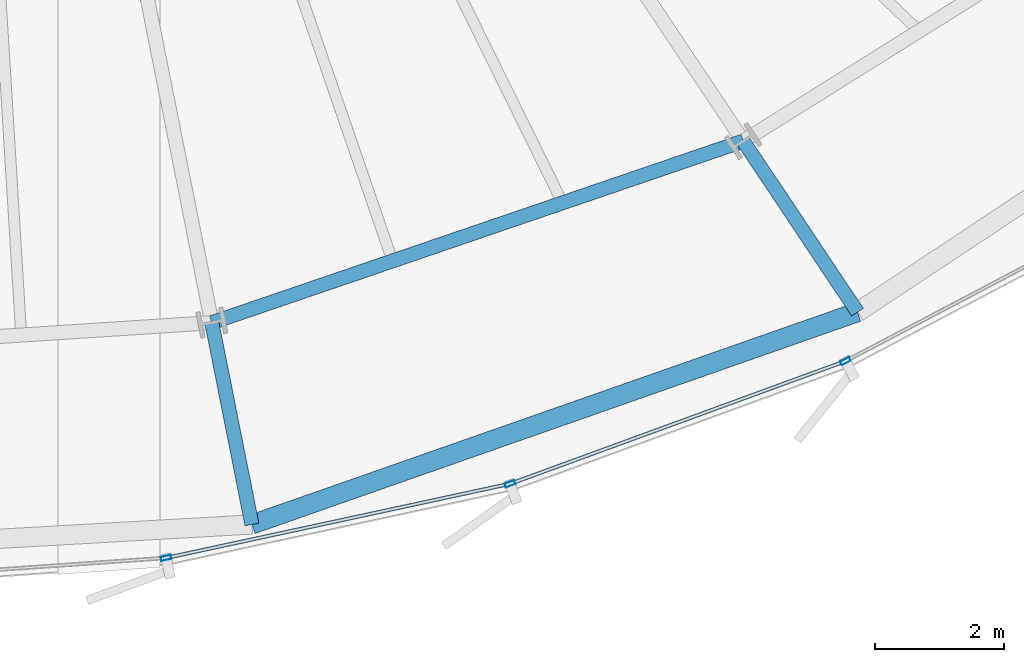
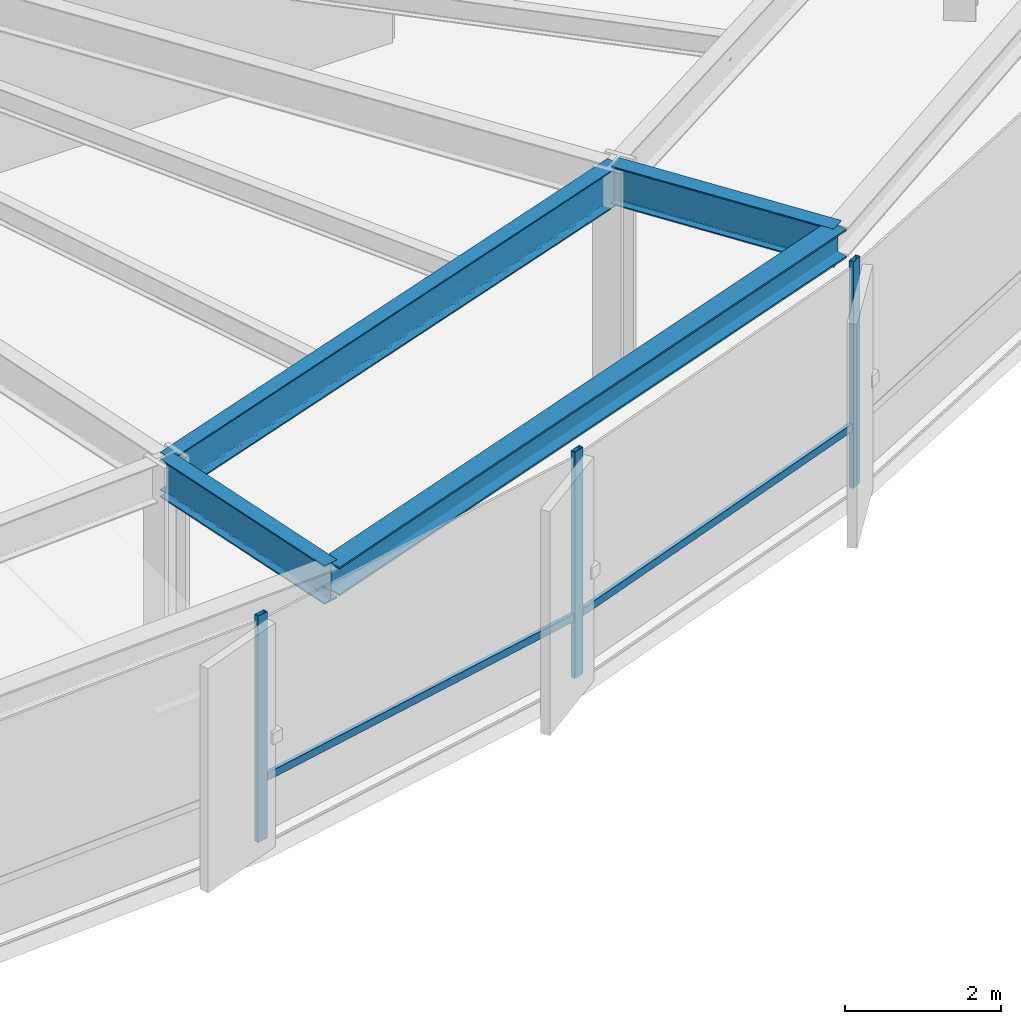
# One storey, part 11 of 38: 5 members, 4 beams, 1 element without a shape of its own.
"""IFC4 building model written with IfcOpenShell, lengths in metres."""

from ifc_helpers import new_model, si_unit, direction, frame, origin, origin_2d, place, context, subcontext, project, spatial, hollow_rectangle, i_section, extrude, source, transform, mapped, material, layer, layer_set, material_profile, profile_set, type_object, element, aggregate, save


model = new_model("IFC4")

# Units and contexts
model_context = context("Model", 3, precision=1e-05, world=origin(), true_north=direction((0.0, 1.0)))
body_context = subcontext(model_context, "Body", "Model", "MODEL_VIEW")
ifc_project = project(units=[si_unit("LENGTHUNIT", "METRE"), si_unit("AREAUNIT", "SQUARE_METRE"), si_unit("VOLUMEUNIT", "CUBIC_METRE"), si_unit("PLANEANGLEUNIT", "RADIAN"), si_unit("MASSUNIT", "GRAM", prefix="KILO"), si_unit("THERMODYNAMICTEMPERATUREUNIT", "KELVIN")], contexts=[model_context])

# Site, building, storey
site_placement = place(None, origin())
site = spatial("IfcSite", under=ifc_project, at=site_placement, CompositionType="ELEMENT")
building_placement = place(site_placement, origin())
building = spatial("IfcBuilding", under=site, at=building_placement, Name="Kethvar Cultural Tower", CompositionType="ELEMENT")
storey_placement = place(building_placement, frame((0.0, 0.0, 63.800048828125)))
storey = spatial("IfcBuildingStorey", under=building, at=storey_placement, Name="L15", CompositionType="ELEMENT", Elevation=63.800048828125)

# Beams
ifc_material_1 = material(Name="Steel S355J2", Category="steel")
ifc_material_profile_1 = material_profile(ifc_material_1, i_section(OverallWidth=0.219970703125, OverallDepth=0.60009765625, WebThickness=0.011962890625, FlangeThickness=0.01904296875, FilletRadius=0.02392578125, at=origin_2d()), Name="Steel S355J2 — IPE600")
ifc_profile_set_1 = profile_set([ifc_material_profile_1], Name="Steel S355J2 — IPE600")
beam_type_1 = type_object("IfcBeamType", Name="BM-IPE600", PredefinedType="BEAM", material=ifc_profile_set_1)
shared_shape_1 = source(origin(), body_context, "Body", "SweptSolid", [
    extrude(i_section(OverallWidth=0.219970703125, OverallDepth=0.60009765625, WebThickness=0.011962890625, FlangeThickness=0.01904296875, FilletRadius=0.02392578125, at=origin_2d()), origin(), (0.0, 0.0, 1.0), 3.199951171875),
])
for number, where, z_axis, x_axis, name in (
    (1, (51.10400390625, 6.16259765625, 3.248046875), (0.195088965533, -0.980785550224, 0.0), (0.980785550224, 0.195088965533, 0.0), "L15 Perimeter Cantilever Beam RC-13"),
    (2, (59.370361328125, 8.987060546875, 3.248046875), (0.555580212716, -0.831462943996, 0.0), (0.831462943996, 0.555580212716, 0.0), "L15 Perimeter Cantilever Beam RC-14"),
):
    element("IfcBeam", number, at=place(storey_placement, frame(where, z_axis=z_axis, x_axis=x_axis)), inside=storey, type_object=beam_type_1, Name=name, PredefinedType="BEAM", context=body_context, shape_type="MappedRepresentation", body=[
        mapped(shared_shape_1, transform((0.0, 0.0, 0.0), scale=1.0)),
    ])
shared_shape_2 = source(origin(), body_context, "Body", "SweptSolid", [
    extrude(i_section(OverallWidth=0.219970703125, OverallDepth=0.60009765625, WebThickness=0.011962890625, FlangeThickness=0.01904296875, FilletRadius=0.02392578125, at=origin_2d()), origin(), (0.0, 0.0, 1.0), 8.735595703125),
])
beam_1_placement = place(storey_placement, frame((51.10400390625, 6.16259765625, 3.248046875), z_axis=(0.946286676119, 0.323328821171, 0.0), x_axis=(-0.323328821171, 0.946286676119, 0.0)))
element("IfcBeam", 3, at=beam_1_placement, inside=storey, type_object=beam_type_1, Name="L15 Column Ring Tie Beam CR-13", PredefinedType="BEAM", context=body_context, shape_type="MappedRepresentation", body=[
    mapped(shared_shape_2, transform((0.0, 0.0, 0.0), scale=1.0)),
])
ifc_material_profile_2 = material_profile(ifc_material_1, i_section(OverallWidth=0.300048828125, OverallDepth=0.449951171875, WebThickness=0.013916015625, FlangeThickness=0.02587890625, FilletRadius=0.027099609375, at=origin_2d()), Name="Steel S355J2 — HEB450")
ifc_profile_set_2 = profile_set([ifc_material_profile_2], Name="Steel S355J2 — HEB450")
beam_type_2 = type_object("IfcBeamType", Name="BM-SP450", PredefinedType="SPANDREL", material=ifc_profile_set_2)
shared_shape_3 = source(origin(), body_context, "Body", "SweptSolid", [
    extrude(i_section(OverallWidth=0.300048828125, OverallDepth=0.449951171875, WebThickness=0.013916015625, FlangeThickness=0.02587890625, FilletRadius=0.027099609375, at=origin_2d()), origin(), (0.0, 0.0, 1.0), 9.98193359375),
])
beam_2_placement = place(storey_placement, frame((51.728271484375, 3.024169921875, 3.322998046875), z_axis=(0.943693514159, 0.330821026138, 0.0), x_axis=(-0.330821026138, 0.943693514159, 0.0)))
element("IfcBeam", 4, at=beam_2_placement, inside=storey, type_object=beam_type_2, Name="L15 Perimeter Spandrel Beam SP-13", PredefinedType="SPANDREL", context=body_context, shape_type="MappedRepresentation", body=[
    mapped(shared_shape_3, transform((0.0, 0.0, 0.0), scale=1.0)),
])

# Curtain wall, members
ifc_material_2 = material(Name="Aluminium 6063-T6", Category="aluminium")
ifc_layer = layer(ifc_material_2, 0.179931640625, Name="Aluminium 6063-T6", Category="aluminium")
ifc_layer_set = layer_set([ifc_layer], Name="Aluminium 6063-T6 (180 mm)")
curtain_wall_type = type_object("IfcCurtainWallType", Name="CW-SYS-02-Z1", PredefinedType="NOTDEFINED", material=ifc_layer_set)
curtain_wall_placement = place(storey_placement, origin())
curtain_wall = element("IfcCurtainWall", 5, at=curtain_wall_placement, inside=storey, type_object=curtain_wall_type, Name="L15 Curtain Wall Run 05", PredefinedType="NOTDEFINED")
ifc_material_profile_3 = material_profile(ifc_material_2, hollow_rectangle(XDim=0.06494140625, YDim=0.159912109375, WallThickness=0.0048828125, at=origin_2d()), Name="Aluminium 6063-T6 — RHS160x65x5")
ifc_profile_set_3 = profile_set([ifc_material_profile_3], Name="Aluminium 6063-T6 — RHS160x65x5")
member_type_1 = type_object("IfcMemberType", Name="CW-SYS-02-Z1-MUL", PredefinedType="MULLION", material=ifc_profile_set_3)
shared_shape_4 = source(origin(), body_context, "Body", "SweptSolid", [
    extrude(hollow_rectangle(XDim=0.06494140625, YDim=0.159912109375, WallThickness=0.0048828125, at=origin_2d()), origin(), (0.0, 0.0, 1.0), 3.550048828125),
])
member_1_placement = place(storey_placement, frame((50.391845703125, 2.50244140625, 0.0), z_axis=(0.0, 0.0, 1.0), x_axis=(-0.210847115726, 0.977519050346, 0.0)))
member_1 = element("IfcMember", 6, at=member_1_placement, type_object=member_type_1, Name="CW-L15-R05 Mullion 4", PredefinedType="MULLION", context=body_context, shape_type="MappedRepresentation", body=[
    mapped(shared_shape_4, transform((0.0, 0.0, 0.0), scale=1.0)),
])
member_2_placement = place(storey_placement, frame((55.74365234375, 3.655517578125, 0.0), z_axis=(0.0, 0.0, 1.0), x_axis=(-0.34367608482, 0.939088253959, 0.0)))
member_2 = element("IfcMember", 7, at=member_2_placement, type_object=member_type_1, Name="CW-L15-R05 Mullion 5", PredefinedType="MULLION", context=body_context, shape_type="MappedRepresentation", body=[
    mapped(shared_shape_4, transform((0.0, 0.0, 0.0), scale=1.0)),
])
member_3_placement = place(storey_placement, frame((60.959716796875, 5.5634765625, 0.0), z_axis=(0.0, 0.0, 1.0), x_axis=(-0.466016067022, 0.884776257184, 0.0)))
member_3 = element("IfcMember", 8, at=member_3_placement, type_object=member_type_1, Name="CW-L15-R05 Mullion 6", PredefinedType="MULLION", context=body_context, shape_type="MappedRepresentation", body=[
    mapped(shared_shape_4, transform((0.0, 0.0, 0.0), scale=1.0)),
])
ifc_material_profile_4 = material_profile(ifc_material_2, hollow_rectangle(XDim=0.054931640625, YDim=0.1201171875, WallThickness=0.00390625, at=origin_2d()), Name="Aluminium 6063-T6 — RHS120x55x4")
ifc_profile_set_4 = profile_set([ifc_material_profile_4], Name="Aluminium 6063-T6 — RHS120x55x4")
member_type_2 = type_object("IfcMemberType", Name="CW-SYS-02-Z1-TRN", PredefinedType="USERDEFINED", material=ifc_profile_set_4)
shared_shape_5 = source(origin(), body_context, "Body", "SweptSolid", [
    extrude(hollow_rectangle(XDim=0.054931640625, YDim=0.1201171875, WallThickness=0.00390625, at=origin_2d()), origin(), (0.0, 0.0, 1.0), 5.476318359375),
])
member_4_placement = place(storey_placement, frame((55.78759765625, 3.671630859375, 0.949951171875), z_axis=(0.939089868458, 0.343671673199, 0.0), x_axis=(-0.343671673199, 0.939089868458, 0.0)))
member_4 = element("IfcMember", 9, at=member_4_placement, type_object=member_type_2, Name="CW-L15-R05 Transom 5", ObjectType="TRANSOM", PredefinedType="USERDEFINED", context=body_context, shape_type="MappedRepresentation", body=[
    mapped(shared_shape_5, transform((0.0, 0.0, 0.0), scale=1.0)),
])
shared_shape_6 = source(origin(), body_context, "Body", "SweptSolid", [
    extrude(hollow_rectangle(XDim=0.054931640625, YDim=0.1201171875, WallThickness=0.00390625, at=origin_2d()), origin(), (0.0, 0.0, 1.0), 5.397705078125),
])
member_5_placement = place(storey_placement, frame((50.4375, 2.51220703125, 0.949951171875), z_axis=(0.977515560293, 0.210863295488, 0.0), x_axis=(-0.210863295488, 0.977515560293, 0.0)))
member_5 = element("IfcMember", 10, at=member_5_placement, type_object=member_type_2, Name="CW-L15-R05 Transom 4", ObjectType="TRANSOM", PredefinedType="USERDEFINED", context=body_context, shape_type="MappedRepresentation", body=[
    mapped(shared_shape_6, transform((0.0, 0.0, 0.0), scale=1.0)),
])
aggregate(curtain_wall, [member_1, member_2, member_3, member_5, member_4])

save(model, "model.ifc")
